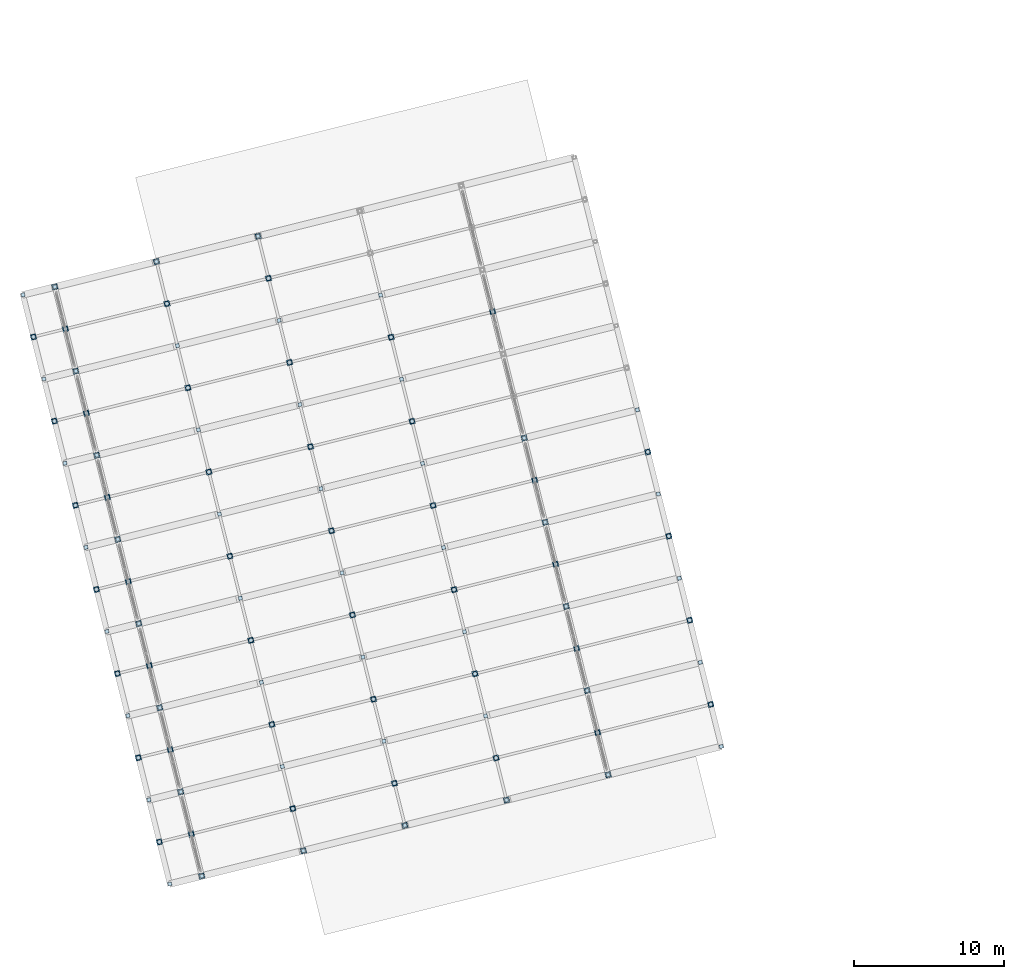
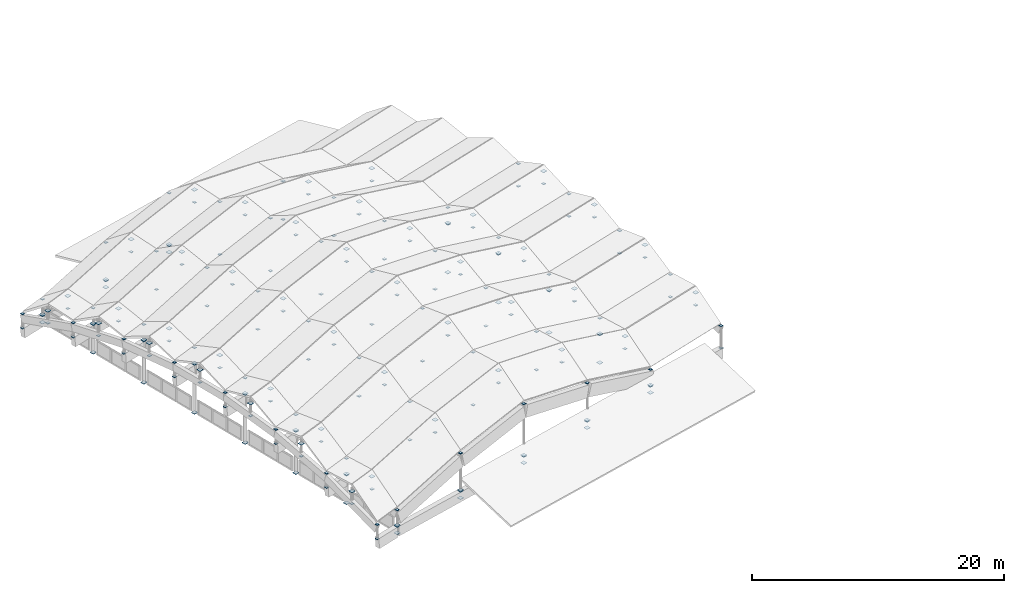
# One storey, part 59 of 65: 220 plates.
"""IFC4 building model written with IfcOpenShell, lengths in metres."""

import ifcopenshell
import ifcopenshell.guid

model = None  # the IFC model being written
_history = None  # IfcOwnerHistory: only IFC2X3 demands one
_inside = {}  # id of a spatial element -> (the spatial element, [elements in it])
_under = {}  # id of a project, library or spatial element -> (it, [spatial elements below it])
_declared = {}  # id of a project -> (the project, [libraries it declares])
_typed = {}  # id of a type object -> (the type object, [elements of that type])
_made_of = {}  # id of a material, layer set ... -> (it, [elements and type objects made of it])


def new_model(schema):
    """Start an empty IFC model of exactly this schema.

    Asked for "IFC4X3", IfcOpenShell would pick the latest addendum, in which some entities
    have other attributes; the version numbers below select the first issue.
    IFC2X3 requires an IfcOwnerHistory on every rooted entity: one is made here for all.
    """
    global model, _history
    if schema == "IFC4X3":
        model = ifcopenshell.file(schema_version=(4, 3, 0, 0))
    else:
        model = ifcopenshell.file(schema=schema)
    _inside.clear()
    _under.clear()
    _declared.clear()
    _typed.clear()
    _made_of.clear()
    _history = None
    if model.schema == "IFC2X3":
        org = make("IfcOrganization", Name="unknown")
        user = make(
            "IfcPersonAndOrganization",
            ThePerson=make("IfcPerson", FamilyName="unknown"),
            TheOrganization=org,
        )
        app = make(
            "IfcApplication",
            ApplicationDeveloper=org,
            Version="unknown",
            ApplicationFullName="unknown",
            ApplicationIdentifier="unknown",
        )
        _history = make(
            "IfcOwnerHistory",
            OwningUser=user,
            OwningApplication=app,
            ChangeAction="ADDED",
            CreationDate=0,
        )
    return model


def make(cls, **values):
    """One entity of the class cls with the attributes given. An attribute that is None is left unset."""
    return model.create_entity(
        cls, **{name: value for name, value in values.items() if value is not None}
    )


def rooted(cls, **values):
    """An entity with a GlobalId (a new one), such as an element, a storey or a relation."""
    return make(cls, GlobalId=ifcopenshell.guid.new(), OwnerHistory=_history, **values)


def si_unit(unit_type, name, prefix=None):
    """IfcSIUnit, for example si_unit("LENGTHUNIT", "METRE", prefix="MILLI")."""
    return make("IfcSIUnit", UnitType=unit_type, Prefix=prefix, Name=name)


def assignment(units):
    """IfcUnitAssignment: the units of a project."""
    return None if units is None else make("IfcUnitAssignment", Units=units)


def point(xyz):
    """IfcCartesianPoint."""
    return None if xyz is None else make("IfcCartesianPoint", Coordinates=xyz)


def direction(xyz):
    """IfcDirection."""
    return None if xyz is None else make("IfcDirection", DirectionRatios=xyz)


def frame(location, z_axis=None, x_axis=None):
    """IfcAxis2Placement3D, a coordinate frame: its origin and axes. An axis left out is left unset."""
    return make(
        "IfcAxis2Placement3D",
        Location=point(location),
        Axis=direction(z_axis),
        RefDirection=direction(x_axis),
    )


def frame_2d(location, x_axis=None):
    """IfcAxis2Placement2D, a coordinate frame in the plane: its origin and x axis."""
    return make(
        "IfcAxis2Placement2D", Location=point(location), RefDirection=direction(x_axis)
    )


def origin():
    """The frame at (0, 0, 0) with its axes left unset."""
    return frame((0.0, 0.0, 0.0))


def origin_2d():
    """The frame at (0, 0) in the plane with its x axis left unset."""
    return frame_2d((0.0, 0.0))


def place(relative_to, where):
    """IfcLocalPlacement: puts the frame where relative to a parent placement (None: the world)."""
    return make(
        "IfcLocalPlacement", PlacementRelTo=relative_to, RelativePlacement=where
    )


def context(
    kind, dimensions, precision=None, world=None, true_north=None, identifier=None
):
    """IfcGeometricRepresentationContext, for example the 3D "Model" context."""
    return make(
        "IfcGeometricRepresentationContext",
        ContextIdentifier=identifier,
        ContextType=kind,
        CoordinateSpaceDimension=dimensions,
        Precision=precision,
        WorldCoordinateSystem=world,
        TrueNorth=true_north,
    )


def subcontext(parent, identifier, kind, view, scale=None):
    """IfcGeometricRepresentationSubContext, for example "Body" below "Model"."""
    return make(
        "IfcGeometricRepresentationSubContext",
        ContextIdentifier=identifier,
        ContextType=kind,
        ParentContext=parent,
        TargetScale=scale,
        TargetView=view,
    )


def project(units=None, contexts=None):
    """IfcProject with its units and contexts."""
    return rooted(
        "IfcProject",
        Name="project",
        RepresentationContexts=contexts,
        UnitsInContext=assignment(units),
    )


def spatial(cls, under=None, at=None, **own):
    """A site, building, storey or space (cls), placed at a placement, below another one or the project."""
    s = rooted(cls, ObjectPlacement=at, **own)
    if under is not None:
        _under.setdefault(under.id(), (under, []))[1].append(s)
    return s


def profile(cls, at=None, kind="AREA", **sizes):
    """A parametric profile (cls). Its sizes go by their IFC names, for example OverallWidth=200.0."""
    return make(cls, ProfileType=kind, Position=at, **sizes)


def rectangle(**sizes):
    """IfcRectangleProfileDef."""
    return profile("IfcRectangleProfileDef", **sizes)


def extrude(swept, where, along, depth):
    """IfcExtrudedAreaSolid: the profile swept, set in the frame where, extruded along a direction by depth."""
    return make(
        "IfcExtrudedAreaSolid",
        SweptArea=swept,
        Position=where,
        ExtrudedDirection=direction(along),
        Depth=depth,
    )


def shape(context_of_items, identifier, shape_type, items):
    """IfcShapeRepresentation: the items that make up one representation, for example the "Body"."""
    return make(
        "IfcShapeRepresentation",
        ContextOfItems=context_of_items,
        RepresentationIdentifier=identifier,
        RepresentationType=shape_type,
        Items=items,
    )


def material(Name=None, Category=None):
    """IfcMaterial."""
    return make("IfcMaterial", Name=Name, Category=Category)


def layer(
    of_material, thickness, ventilated=None, Name=None, Category=None, Priority=None
):
    """IfcMaterialLayer: one layer of a wall or slab, of a material (None: an air gap)."""
    return make(
        "IfcMaterialLayer",
        Material=of_material,
        LayerThickness=thickness,
        IsVentilated=ventilated,
        Name=Name,
        Category=Category,
        Priority=Priority,
    )


def layer_set(layers, Name=None):
    """IfcMaterialLayerSet."""
    return make("IfcMaterialLayerSet", MaterialLayers=layers, LayerSetName=Name)


def made_of(thing, what):
    """Note that an element or type object is made of a material, layer set ...; save() writes the relation."""
    if what is not None:
        _made_of.setdefault(what.id(), (what, []))[1].append(thing)
    return thing


def type_object(cls, material=None, **own):
    """A type object (cls), such as IfcWallType, which elements share."""
    return made_of(rooted(cls, **own), material)


def element(
    cls,
    number,
    at=None,
    inside=None,
    cuts=None,
    type_object=None,
    material=None,
    context=None,
    identifier="Body",
    shape_type=None,
    held_by="IfcProductDefinitionShape",
    body=None,
    shapes=None,
    **own,
):
    """One element of the class cls, such as IfcWall. Its Tag is "e" and its number.

    at: its placement. inside: the storey or other place that contains it. cuts: it is an
    opening in that element (IfcRelVoidsElement). A single representation is given by context,
    identifier, shape_type and body (its items); several are given by shapes. held_by: the class
    of the entity that holds the representations. save() writes the other relations.
    """
    e = rooted(cls, Tag="e%d" % number, ObjectPlacement=at, **own)
    if body is not None:
        shapes = [shape(context, identifier, shape_type, body)]
    if shapes is not None:
        e.Representation = make(held_by, Representations=shapes)
    if inside is not None:
        _inside.setdefault(inside.id(), (inside, []))[1].append(e)
    if cuts is not None:
        rooted(
            "IfcRelVoidsElement", RelatingBuildingElement=cuts, RelatedOpeningElement=e
        )
    if type_object is not None:
        _typed.setdefault(type_object.id(), (type_object, []))[1].append(e)
    return made_of(e, material)


def aggregate(whole, parts):
    """IfcRelAggregates: a whole, such as a stair, and the parts it consists of."""
    return rooted("IfcRelAggregates", RelatingObject=whole, RelatedObjects=parts)


def save(model, path):
    """Write the relations noted so far, then the file.

    IfcRelAggregates (storeys below a building ...), IfcRelContainedInSpatialStructure (elements
    in a storey), IfcRelDefinesByType, IfcRelAssociatesMaterial and IfcRelDeclares: one each for
    every whole, place, type object, material and project.
    """
    for whole, parts in _under.values():
        aggregate(whole, parts)
    for where, things in _inside.values():
        rooted(
            "IfcRelContainedInSpatialStructure",
            RelatedElements=things,
            RelatingStructure=where,
        )
    for kind, things in _typed.values():
        rooted("IfcRelDefinesByType", RelatedObjects=things, RelatingType=kind)
    for what, things in _made_of.values():
        rooted("IfcRelAssociatesMaterial", RelatedObjects=things, RelatingMaterial=what)
    for by, libraries in _declared.values():
        rooted("IfcRelDeclares", RelatingContext=by, RelatedDefinitions=libraries)
    model.write(path)


model = new_model("IFC4")

# Units and contexts
model_context = context("Model", 3, precision=1e-05, world=origin(), true_north=direction((0.0, 1.0)))
body_context = subcontext(model_context, "Body", "Model", "MODEL_VIEW")
ifc_project = project(units=[si_unit("LENGTHUNIT", "METRE"), si_unit("AREAUNIT", "SQUARE_METRE"), si_unit("VOLUMEUNIT", "CUBIC_METRE"), si_unit("PLANEANGLEUNIT", "RADIAN"), si_unit("MASSUNIT", "GRAM", prefix="KILO")], contexts=[model_context])

# Site, building, storey
site_placement = place(None, origin())
site = spatial("IfcSite", under=ifc_project, at=site_placement, CompositionType="ELEMENT")
building_placement = place(site_placement, origin())
building = spatial("IfcBuilding", under=site, at=building_placement, Name="Cinderway Yard Community Centre", CompositionType="ELEMENT")
storey_placement = place(building_placement, frame((0.0, 0.0, 24.300048828125)))
storey = spatial("IfcBuildingStorey", under=building, at=storey_placement, Name="RF", CompositionType="ELEMENT", Elevation=24.300048828125)

# Plates
ifc_material = material(Name="Steel S355", Category="steel")
ifc_layer_1 = layer(ifc_material, 0.02197265625, Name="Steel S355")
ifc_layer_set_1 = layer_set([ifc_layer_1], Name="Steel S355")
plate_type_1 = type_object("IfcPlateType", Name="STR-PLT-CAP240", PredefinedType="SHEET", material=ifc_layer_set_1)
for number, where, z_axis, x_axis, name in (
    (1, (17.675048828125, 24.5849609375, -10.881103515625), (0.0, 0.0, 1.0), (0.970295726276, 0.2419218956, 0.0), "Web base plate 1"),
    (2, (17.675048828125, 24.5849609375, -9.5009765625), (0.0, 0.0, 1.0), (0.970295726276, 0.2419218956, 0.0), "Web top plate 1"),
    (3, (19.80908203125, 25.116943359375, -10.760986328125), (0.0, 0.0, 1.0), (0.970295726276, 0.2419218956, 0.0), "Web base plate 2"),
    (4, (19.80908203125, 25.116943359375, -9.151123046875), (0.0, 0.0, 1.0), (0.970295726276, 0.2419218956, 0.0), "Web top plate 2"),
    (5, (26.60205078125, 26.81005859375, -10.760986328125), (0.0, 0.0, 1.0), (0.970295726276, 0.2419218956, 0.0), "Web base plate 3"),
    (6, (26.60205078125, 26.81005859375, -7.051025390625), (0.0, 0.0, 1.0), (0.970295726276, 0.2419218956, 0.0), "Web top plate 3"),
    (7, (33.39404296875, 28.50390625, -10.760986328125), (0.0, 0.0, 1.0), (0.970295726276, 0.2419218956, 0.0), "Web base plate 4"),
    (8, (33.39404296875, 28.50390625, -5.651123046875), (0.0, 0.0, 1.0), (0.970295726276, 0.2419218956, 0.0), "Web top plate 4"),
    (9, (40.18603515625, 30.197021484375, -10.760986328125), (0.0, 0.0, 1.0), (0.970295726276, 0.2419218956, 0.0), "Web base plate 5"),
    (10, (40.18603515625, 30.197021484375, -7.051025390625), (0.0, 0.0, 1.0), (0.970295726276, 0.2419218956, 0.0), "Web top plate 5"),
    (11, (46.97802734375, 31.89111328125, -10.760986328125), (0.0, 0.0, 1.0), (0.970295726276, 0.2419218956, 0.0), "Web base plate 6"),
    (12, (46.97802734375, 31.89111328125, -9.151123046875), (0.0, 0.0, 1.0), (0.970295726276, 0.2419218956, 0.0), "Web top plate 6"),
    (13, (54.5458984375, 33.778076171875, -10.881103515625), (0.0, 0.0, 1.0), (0.970295726276, 0.2419218956, 0.0), "Web base plate 7"),
    (14, (54.5458984375, 33.778076171875, -8.700927734375), (0.0, 0.0, 1.0), (0.970295726276, 0.2419218956, 0.0), "Web top plate 7"),
    (15, (16.27197265625, 30.2119140625, -8.817138671875), (0.0, 0.0, 1.0), (0.970295726276, 0.2419218956, 0.0), "Web base plate 8"),
    (16, (16.27197265625, 30.2119140625, -7.43701171875), (0.0, 0.0, 1.0), (0.970295726276, 0.2419218956, 0.0), "Web top plate 8"),
    (17, (18.406005859375, 30.7451171875, -8.697021484375), (0.0, 0.0, 1.0), (0.970295726276, 0.2419218956, 0.0), "Web base plate 9"),
    (18, (18.406005859375, 30.7451171875, -7.0869140625), (0.0, 0.0, 1.0), (0.970295726276, 0.2419218956, 0.0), "Web top plate 9"),
    (19, (25.197998046875, 32.43798828125, -8.697021484375), (0.0, 0.0, 1.0), (0.970295726276, 0.2419218956, 0.0), "Web base plate 10"),
    (20, (25.197998046875, 32.43798828125, -4.987060546875), (0.0, 0.0, 1.0), (0.970295726276, 0.2419218956, 0.0), "Web top plate 10"),
    (21, (31.989990234375, 34.131103515625, -8.697021484375), (0.0, 0.0, 1.0), (0.970295726276, 0.2419218956, 0.0), "Web base plate 11"),
    (22, (31.989990234375, 34.131103515625, -3.5869140625), (0.0, 0.0, 1.0), (0.970295726276, 0.2419218956, 0.0), "Web top plate 11"),
    (23, (38.782958984375, 35.824951171875, -8.697021484375), (0.0, 0.0, 1.0), (0.970295726276, 0.2419218956, 0.0), "Web base plate 12"),
    (24, (38.782958984375, 35.824951171875, -4.987060546875), (0.0, 0.0, 1.0), (0.970295726276, 0.2419218956, 0.0), "Web top plate 12"),
    (25, (45.574951171875, 37.51806640625, -8.697021484375), (0.0, 0.0, 1.0), (0.970295726276, 0.2419218956, 0.0), "Web base plate 13"),
    (26, (45.574951171875, 37.51806640625, -7.0869140625), (0.0, 0.0, 1.0), (0.970295726276, 0.2419218956, 0.0), "Web top plate 13"),
    (27, (53.14306640625, 39.405029296875, -8.817138671875), (0.0, 0.0, 1.0), (0.970295726276, 0.2419218956, 0.0), "Web base plate 14"),
    (28, (53.14306640625, 39.405029296875, -6.636962890625), (0.0, 0.0, 1.0), (0.970295726276, 0.2419218956, 0.0), "Web top plate 14"),
    (29, (14.867919921875, 35.840087890625, -7.488037109375), (0.0, 0.0, 1.0), (0.970295726276, 0.2419218956, 0.0), "Web base plate 15"),
    (30, (14.867919921875, 35.840087890625, -6.108154296875), (0.0, 0.0, 1.0), (0.970295726276, 0.2419218956, 0.0), "Web top plate 15"),
    (31, (17.0029296875, 36.3720703125, -7.367919921875), (0.0, 0.0, 1.0), (0.970295726276, 0.2419218956, 0.0), "Web base plate 16"),
    (32, (17.0029296875, 36.3720703125, -5.758056640625), (0.0, 0.0, 1.0), (0.970295726276, 0.2419218956, 0.0), "Web top plate 16"),
    (33, (23.794921875, 38.06591796875, -7.367919921875), (0.0, 0.0, 1.0), (0.970295726276, 0.2419218956, 0.0), "Web base plate 17"),
    (34, (23.794921875, 38.06591796875, -3.657958984375), (0.0, 0.0, 1.0), (0.970295726276, 0.2419218956, 0.0), "Web top plate 17"),
    (35, (30.5869140625, 39.759033203125, -7.367919921875), (0.0, 0.0, 1.0), (0.970295726276, 0.2419218956, 0.0), "Web base plate 18"),
    (36, (30.5869140625, 39.759033203125, -2.258056640625), (0.0, 0.0, 1.0), (0.970295726276, 0.2419218956, 0.0), "Web top plate 18"),
    (37, (37.37890625, 41.452880859375, -7.367919921875), (0.0, 0.0, 1.0), (0.970295726276, 0.2419218956, 0.0), "Web base plate 19"),
    (38, (37.37890625, 41.452880859375, -3.657958984375), (0.0, 0.0, 1.0), (0.970295726276, 0.2419218956, 0.0), "Web top plate 19"),
    (39, (44.1708984375, 43.14599609375, -7.367919921875), (0.0, 0.0, 1.0), (0.970295726276, 0.2419218956, 0.0), "Web base plate 20"),
    (40, (44.1708984375, 43.14599609375, -5.758056640625), (0.0, 0.0, 1.0), (0.970295726276, 0.2419218956, 0.0), "Web top plate 20"),
    (41, (51.739990234375, 45.032958984375, -7.488037109375), (0.0, 0.0, 1.0), (0.970295726276, 0.2419218956, 0.0), "Web base plate 21"),
    (42, (51.739990234375, 45.032958984375, -5.30810546875), (0.0, 0.0, 1.0), (0.970295726276, 0.2419218956, 0.0), "Web top plate 21"),
    (43, (13.465087890625, 41.468017578125, -6.8359375), (0.0, 0.0, 1.0), (0.970295726276, 0.2419218956, 0.0), "Web base plate 22"),
    (44, (13.465087890625, 41.468017578125, -5.4560546875), (0.0, 0.0, 1.0), (0.970295726276, 0.2419218956, 0.0), "Web top plate 22"),
    (45, (15.60009765625, 42.0, -6.716064453125), (0.0, 0.0, 1.0), (0.970295726276, 0.2419218956, 0.0), "Web base plate 23"),
    (46, (15.60009765625, 42.0, -5.10595703125), (0.0, 0.0, 1.0), (0.970295726276, 0.2419218956, 0.0), "Web top plate 23"),
    (47, (22.39208984375, 43.693115234375, -6.716064453125), (0.0, 0.0, 1.0), (0.970295726276, 0.2419218956, 0.0), "Web base plate 24"),
    (48, (22.39208984375, 43.693115234375, -3.006103515625), (0.0, 0.0, 1.0), (0.970295726276, 0.2419218956, 0.0), "Web top plate 24"),
    (49, (29.18408203125, 45.386962890625, -6.716064453125), (0.0, 0.0, 1.0), (0.970295726276, 0.2419218956, 0.0), "Web base plate 25"),
    (50, (29.18408203125, 45.386962890625, -1.60595703125), (0.0, 0.0, 1.0), (0.970295726276, 0.2419218956, 0.0), "Web top plate 25"),
    (51, (35.97607421875, 47.080078125, -6.716064453125), (0.0, 0.0, 1.0), (0.970295726276, 0.2419218956, 0.0), "Web base plate 26"),
    (52, (35.97607421875, 47.080078125, -3.006103515625), (0.0, 0.0, 1.0), (0.970295726276, 0.2419218956, 0.0), "Web top plate 26"),
    (53, (42.76806640625, 48.77392578125, -6.716064453125), (0.0, 0.0, 1.0), (0.970295726276, 0.2419218956, 0.0), "Web base plate 27"),
    (54, (42.76806640625, 48.77392578125, -5.10595703125), (0.0, 0.0, 1.0), (0.970295726276, 0.2419218956, 0.0), "Web top plate 27"),
    (55, (50.3369140625, 50.660888671875, -6.8359375), (0.0, 0.0, 1.0), (0.970295726276, 0.2419218956, 0.0), "Web base plate 28"),
    (56, (50.3369140625, 50.660888671875, -4.656005859375), (0.0, 0.0, 1.0), (0.970295726276, 0.2419218956, 0.0), "Web top plate 28"),
    (57, (12.06201171875, 47.094970703125, -6.8359375), (0.0, 0.0, 1.0), (0.970295726276, 0.2419218956, 0.0), "Web base plate 29"),
    (58, (12.06201171875, 47.094970703125, -5.4560546875), (0.0, 0.0, 1.0), (0.970295726276, 0.2419218956, 0.0), "Web top plate 29"),
    (59, (14.197021484375, 47.6279296875, -6.716064453125), (0.0, 0.0, 1.0), (0.970295726276, 0.2419218956, 0.0), "Web base plate 30"),
    (60, (14.197021484375, 47.6279296875, -5.10595703125), (0.0, 0.0, 1.0), (0.970295726276, 0.2419218956, 0.0), "Web top plate 30"),
    (61, (20.989013671875, 49.321044921875, -6.716064453125), (0.0, 0.0, 1.0), (0.970295726276, 0.2419218956, 0.0), "Web base plate 31"),
    (62, (20.989013671875, 49.321044921875, -3.006103515625), (0.0, 0.0, 1.0), (0.970295726276, 0.2419218956, 0.0), "Web top plate 31"),
    (63, (27.781005859375, 51.014892578125, -6.716064453125), (0.0, 0.0, 1.0), (0.970295726276, 0.2419218956, 0.0), "Web base plate 32"),
    (64, (27.781005859375, 51.014892578125, -1.60595703125), (0.0, 0.0, 1.0), (0.970295726276, 0.2419218956, 0.0), "Web top plate 32"),
    (65, (34.572998046875, 52.7080078125, -6.716064453125), (0.0, 0.0, 1.0), (0.970295726276, 0.2419218956, 0.0), "Web base plate 33"),
    (66, (34.572998046875, 52.7080078125, -3.006103515625), (0.0, 0.0, 1.0), (0.970295726276, 0.2419218956, 0.0), "Web top plate 33"),
    (67, (41.364990234375, 54.402099609375, -6.716064453125), (0.0, 0.0, 1.0), (0.970295726276, 0.2419218956, 0.0), "Web base plate 34"),
    (68, (41.364990234375, 54.402099609375, -5.10595703125), (0.0, 0.0, 1.0), (0.970295726276, 0.2419218956, 0.0), "Web top plate 34"),
    (69, (48.93310546875, 56.2890625, -6.8359375), (0.0, 0.0, 1.0), (0.970295726276, 0.2419218956, 0.0), "Web base plate 35"),
    (70, (48.93310546875, 56.2890625, -4.656005859375), (0.0, 0.0, 1.0), (0.970295726276, 0.2419218956, 0.0), "Web top plate 35"),
    (71, (10.658935546875, 52.722900390625, -7.488037109375), (0.0, 0.0, 1.0), (0.970295726276, 0.2419218956, 0.0), "Web base plate 36"),
    (72, (10.658935546875, 52.722900390625, -6.108154296875), (0.0, 0.0, 1.0), (0.970295726276, 0.2419218956, 0.0), "Web top plate 36"),
    (73, (12.7939453125, 53.2548828125, -7.367919921875), (0.0, 0.0, 1.0), (0.970295726276, 0.2419218956, 0.0), "Web base plate 37"),
    (74, (12.7939453125, 53.2548828125, -5.758056640625), (0.0, 0.0, 1.0), (0.970295726276, 0.2419218956, 0.0), "Web top plate 37"),
    (75, (19.5859375, 54.948974609375, -7.367919921875), (0.0, 0.0, 1.0), (0.970295726276, 0.2419218956, 0.0), "Web base plate 38"),
    (76, (19.5859375, 54.948974609375, -3.657958984375), (0.0, 0.0, 1.0), (0.970295726276, 0.2419218956, 0.0), "Web top plate 38"),
    (77, (26.3779296875, 56.64208984375, -7.367919921875), (0.0, 0.0, 1.0), (0.970295726276, 0.2419218956, 0.0), "Web base plate 39"),
    (78, (26.3779296875, 56.64208984375, -2.258056640625), (0.0, 0.0, 1.0), (0.970295726276, 0.2419218956, 0.0), "Web top plate 39"),
    (79, (33.169921875, 58.3359375, -7.367919921875), (0.0, 0.0, 1.0), (0.970295726276, 0.2419218956, 0.0), "Web base plate 40"),
    (80, (33.169921875, 58.3359375, -3.657958984375), (0.0, 0.0, 1.0), (0.970295726276, 0.2419218956, 0.0), "Web top plate 40"),
    (81, (9.256103515625, 58.35107421875, -8.817138671875), (0.0, 0.0, 1.0), (0.970295726276, 0.2419218956, 0.0), "Web base plate 43"),
    (82, (9.256103515625, 58.35107421875, -7.43701171875), (0.0, 0.0, 1.0), (0.970295726276, 0.2419218956, 0.0), "Web top plate 43"),
    (83, (11.39111328125, 58.883056640625, -8.697021484375), (0.0, 0.0, 1.0), (0.970295726276, 0.2419218956, 0.0), "Web base plate 44"),
    (84, (11.39111328125, 58.883056640625, -7.0869140625), (0.0, 0.0, 1.0), (0.970295726276, 0.2419218956, 0.0), "Web top plate 44"),
    (85, (18.18310546875, 60.576904296875, -8.697021484375), (0.0, 0.0, 1.0), (0.970295726276, 0.2419218956, 0.0), "Web base plate 45"),
    (86, (18.18310546875, 60.576904296875, -4.987060546875), (0.0, 0.0, 1.0), (0.970295726276, 0.2419218956, 0.0), "Web top plate 45"),
    (87, (24.97509765625, 62.27001953125, -8.697021484375), (0.0, 0.0, 1.0), (0.970295726276, 0.2419218956, 0.0), "Web base plate 46"),
    (88, (24.97509765625, 62.27001953125, -3.5869140625), (0.0, 0.0, 1.0), (0.970295726276, 0.2419218956, 0.0), "Web top plate 46"),
    (89, (31.76708984375, 63.964111328125, -8.697021484375), (0.0, 0.0, 1.0), (0.970295726276, 0.2419218956, 0.0), "Web base plate 47"),
    (90, (31.76708984375, 63.964111328125, -4.987060546875), (0.0, 0.0, 1.0), (0.970295726276, 0.2419218956, 0.0), "Web top plate 47"),
    (91, (7.85302734375, 63.97900390625, -10.881103515625), (0.0, 0.0, 1.0), (0.970295726276, 0.2419218956, 0.0), "Web base plate 50"),
    (92, (7.85302734375, 63.97900390625, -9.5009765625), (0.0, 0.0, 1.0), (0.970295726276, 0.2419218956, 0.0), "Web top plate 50"),
    (93, (9.987060546875, 64.510986328125, -10.760986328125), (0.0, 0.0, 1.0), (0.970295726276, 0.2419218956, 0.0), "Web base plate 51"),
    (94, (9.987060546875, 64.510986328125, -9.151123046875), (0.0, 0.0, 1.0), (0.970295726276, 0.2419218956, 0.0), "Web top plate 51"),
    (95, (16.779052734375, 66.2041015625, -10.760986328125), (0.0, 0.0, 1.0), (0.970295726276, 0.2419218956, 0.0), "Web base plate 52"),
    (96, (16.779052734375, 66.2041015625, -7.051025390625), (0.0, 0.0, 1.0), (0.970295726276, 0.2419218956, 0.0), "Web top plate 52"),
    (97, (23.572021484375, 67.89794921875, -10.760986328125), (0.0, 0.0, 1.0), (0.970295726276, 0.2419218956, 0.0), "Web base plate 53"),
    (98, (23.572021484375, 67.89794921875, -5.651123046875), (0.0, 0.0, 1.0), (0.970295726276, 0.2419218956, 0.0), "Web top plate 53"),
    (99, (16.972900390625, 27.39794921875, -8.948974609375), (0.0, 0.0, 1.0), (0.970295726276, 0.2419218956, 0.0), "Kingpost base plate B1-UW22"),
    (100, (19.10791015625, 27.930908203125, -8.59912109375), (0.0, 0.0, 1.0), (0.970295726276, 0.2419218956, 0.0), "Kingpost base plate B1-U00"),
    (101, (25.89990234375, 29.6240234375, -6.4990234375), (0.0, 0.0, 1.0), (0.970295726276, 0.2419218956, 0.0), "Kingpost base plate B1-U07"),
    (102, (32.69189453125, 31.318115234375, -5.09912109375), (0.0, 0.0, 1.0), (0.970295726276, 0.2419218956, 0.0), "Kingpost base plate B1-U14"),
    (103, (39.48388671875, 33.010986328125, -6.4990234375), (0.0, 0.0, 1.0), (0.970295726276, 0.2419218956, 0.0), "Kingpost base plate B1-U21"),
    (104, (46.27587890625, 34.705078125, -8.59912109375), (0.0, 0.0, 1.0), (0.970295726276, 0.2419218956, 0.0), "Kingpost base plate B1-U28"),
    (105, (53.843994140625, 36.592041015625, -8.14892578125), (0.0, 0.0, 1.0), (0.970295726276, 0.2419218956, 0.0), "Kingpost base plate B1-U36"),
    (106, (15.570068359375, 33.02587890625, -7.2529296875), (0.0, 0.0, 1.0), (0.970295726276, 0.2419218956, 0.0), "Kingpost base plate B2-UW22"),
    (107, (17.705078125, 33.55810546875, -6.903076171875), (0.0, 0.0, 1.0), (0.970295726276, 0.2419218956, 0.0), "Kingpost base plate B2-U00"),
    (108, (24.4970703125, 35.251953125, -4.802978515625), (0.0, 0.0, 1.0), (0.970295726276, 0.2419218956, 0.0), "Kingpost base plate B2-U07"),
    (109, (31.2890625, 36.945068359375, -3.403076171875), (0.0, 0.0, 1.0), (0.970295726276, 0.2419218956, 0.0), "Kingpost base plate B2-U14"),
    (110, (38.0810546875, 38.638916015625, -4.802978515625), (0.0, 0.0, 1.0), (0.970295726276, 0.2419218956, 0.0), "Kingpost base plate B2-U21"),
    (111, (44.873046875, 40.33203125, -6.903076171875), (0.0, 0.0, 1.0), (0.970295726276, 0.2419218956, 0.0), "Kingpost base plate B2-U28"),
    (112, (52.44091796875, 42.218994140625, -6.453125), (0.0, 0.0, 1.0), (0.970295726276, 0.2419218956, 0.0), "Kingpost base plate B2-U36"),
    (113, (14.1669921875, 38.654052734375, -6.261962890625), (0.0, 0.0, 1.0), (0.970295726276, 0.2419218956, 0.0), "Kingpost base plate B3-UW22"),
    (114, (16.302001953125, 39.18603515625, -5.912109375), (0.0, 0.0, 1.0), (0.970295726276, 0.2419218956, 0.0), "Kingpost base plate B3-U00"),
    (115, (23.093994140625, 40.8798828125, -3.81201171875), (0.0, 0.0, 1.0), (0.970295726276, 0.2419218956, 0.0), "Kingpost base plate B3-U07"),
    (116, (29.885986328125, 42.572998046875, -2.412109375), (0.0, 0.0, 1.0), (0.970295726276, 0.2419218956, 0.0), "Kingpost base plate B3-U14"),
    (117, (36.677978515625, 44.26708984375, -3.81201171875), (0.0, 0.0, 1.0), (0.970295726276, 0.2419218956, 0.0), "Kingpost base plate B3-U21"),
    (118, (43.469970703125, 45.9599609375, -5.912109375), (0.0, 0.0, 1.0), (0.970295726276, 0.2419218956, 0.0), "Kingpost base plate B3-U28"),
    (119, (51.0380859375, 47.846923828125, -5.4619140625), (0.0, 0.0, 1.0), (0.970295726276, 0.2419218956, 0.0), "Kingpost base plate B3-U36"),
    (120, (12.763916015625, 44.281982421875, -5.93603515625), (0.0, 0.0, 1.0), (0.970295726276, 0.2419218956, 0.0), "Kingpost base plate B4-UW22"),
    (121, (14.89794921875, 44.81396484375, -5.5859375), (0.0, 0.0, 1.0), (0.970295726276, 0.2419218956, 0.0), "Kingpost base plate B4-U00"),
    (122, (21.68994140625, 46.507080078125, -3.486083984375), (0.0, 0.0, 1.0), (0.970295726276, 0.2419218956, 0.0), "Kingpost base plate B4-U07"),
    (123, (28.48291015625, 48.200927734375, -2.0859375), (0.0, 0.0, 1.0), (0.970295726276, 0.2419218956, 0.0), "Kingpost base plate B4-U14"),
    (124, (35.27490234375, 49.89404296875, -3.486083984375), (0.0, 0.0, 1.0), (0.970295726276, 0.2419218956, 0.0), "Kingpost base plate B4-U21"),
    (125, (42.06689453125, 51.587890625, -5.5859375), (0.0, 0.0, 1.0), (0.970295726276, 0.2419218956, 0.0), "Kingpost base plate B4-U28"),
    (126, (49.635009765625, 53.47509765625, -5.135986328125), (0.0, 0.0, 1.0), (0.970295726276, 0.2419218956, 0.0), "Kingpost base plate B4-U36"),
    (127, (11.361083984375, 49.908935546875, -6.261962890625), (0.0, 0.0, 1.0), (0.970295726276, 0.2419218956, 0.0), "Kingpost base plate B5-UW22"),
    (128, (13.4951171875, 50.44189453125, -5.912109375), (0.0, 0.0, 1.0), (0.970295726276, 0.2419218956, 0.0), "Kingpost base plate B5-U00"),
    (129, (20.287109375, 52.135009765625, -3.81201171875), (0.0, 0.0, 1.0), (0.970295726276, 0.2419218956, 0.0), "Kingpost base plate B5-U07"),
    (130, (27.0791015625, 53.827880859375, -2.412109375), (0.0, 0.0, 1.0), (0.970295726276, 0.2419218956, 0.0), "Kingpost base plate B5-U14"),
    (131, (33.87109375, 55.52197265625, -3.81201171875), (0.0, 0.0, 1.0), (0.970295726276, 0.2419218956, 0.0), "Kingpost base plate B5-U21"),
    (132, (9.95703125, 55.537109375, -7.2529296875), (0.0, 0.0, 1.0), (0.970295726276, 0.2419218956, 0.0), "Kingpost base plate B6-UW22"),
    (133, (12.092041015625, 56.069091796875, -6.903076171875), (0.0, 0.0, 1.0), (0.970295726276, 0.2419218956, 0.0), "Kingpost base plate B6-U00"),
    (134, (18.884033203125, 57.762939453125, -4.802978515625), (0.0, 0.0, 1.0), (0.970295726276, 0.2419218956, 0.0), "Kingpost base plate B6-U07"),
    (135, (25.676025390625, 59.4560546875, -3.403076171875), (0.0, 0.0, 1.0), (0.970295726276, 0.2419218956, 0.0), "Kingpost base plate B6-U14"),
    (136, (32.468017578125, 61.14990234375, -4.802978515625), (0.0, 0.0, 1.0), (0.970295726276, 0.2419218956, 0.0), "Kingpost base plate B6-U21"),
    (137, (39.260009765625, 62.843017578125, -6.903076171875), (0.0, 0.0, 1.0), (0.970295726276, 0.2419218956, 0.0), "Kingpost base plate B6-U28"),
    (138, (8.553955078125, 61.1650390625, -8.948974609375), (0.0, 0.0, 1.0), (0.970295726276, 0.2419218956, 0.0), "Kingpost base plate B7-UW22"),
    (139, (10.68896484375, 61.697021484375, -8.59912109375), (0.0, 0.0, 1.0), (0.970295726276, 0.2419218956, 0.0), "Kingpost base plate B7-U00"),
    (140, (17.48095703125, 63.389892578125, -6.4990234375), (0.0, 0.0, 1.0), (0.970295726276, 0.2419218956, 0.0), "Kingpost base plate B7-U07"),
    (141, (24.27294921875, 65.083984375, -5.09912109375), (0.0, 0.0, 1.0), (0.970295726276, 0.2419218956, 0.0), "Kingpost base plate B7-U14"),
):
    element("IfcPlate", number, at=place(storey_placement, frame(where, z_axis=z_axis, x_axis=x_axis)), inside=storey, type_object=plate_type_1, Name=name, PredefinedType="SHEET", context=body_context, shape_type="SweptSolid", body=[
        extrude(rectangle(XDim=0.25, YDim=0.25, at=origin_2d()), origin(), (0.0, 0.0, 1.0), 0.02197265625),
    ])
ifc_layer_2 = layer(ifc_material, 0.028076171875, Name="Steel S355")
ifc_layer_set_2 = layer_set([ifc_layer_2], Name="Steel S355")
plate_type_2 = type_object("IfcPlateType", Name="STR-PLT-CAP360", PredefinedType="SHEET", material=ifc_layer_set_2)
for number, where, z_axis, x_axis, name in (
    (142, (19.80908203125, 25.116943359375, -11.4140625), (0.0, 0.0, 1.0), (0.970295726276, 0.2419218956, 0.0), "Post base cap plate W01"),
    (143, (19.80908203125, 25.116943359375, -10.6640625), (0.0, 0.0, 1.0), (0.970295726276, 0.2419218956, 0.0), "Post head cap plate W01"),
    (144, (46.97802734375, 31.89111328125, -11.4140625), (0.0, 0.0, 1.0), (0.970295726276, 0.2419218956, 0.0), "Post base cap plate E01"),
    (145, (46.97802734375, 31.89111328125, -10.6640625), (0.0, 0.0, 1.0), (0.970295726276, 0.2419218956, 0.0), "Post head cap plate E01"),
    (146, (18.406005859375, 30.7451171875, -11.4140625), (0.0, 0.0, 1.0), (0.970295726276, 0.2419218956, 0.0), "Post base cap plate W02"),
    (147, (18.406005859375, 30.7451171875, -8.60009765625), (0.0, 0.0, 1.0), (0.970295726276, 0.2419218956, 0.0), "Post head cap plate W02"),
    (148, (45.574951171875, 37.51806640625, -11.4140625), (0.0, 0.0, 1.0), (0.970295726276, 0.2419218956, 0.0), "Post base cap plate E02"),
    (149, (45.574951171875, 37.51806640625, -8.60009765625), (0.0, 0.0, 1.0), (0.970295726276, 0.2419218956, 0.0), "Post head cap plate E02"),
    (150, (17.0029296875, 36.3720703125, -11.4140625), (0.0, 0.0, 1.0), (0.970295726276, 0.2419218956, 0.0), "Post base cap plate W03"),
    (151, (17.0029296875, 36.3720703125, -7.27099609375), (0.0, 0.0, 1.0), (0.970295726276, 0.2419218956, 0.0), "Post head cap plate W03"),
    (152, (44.1708984375, 43.14599609375, -11.4140625), (0.0, 0.0, 1.0), (0.970295726276, 0.2419218956, 0.0), "Post base cap plate E03"),
    (153, (44.1708984375, 43.14599609375, -7.27099609375), (0.0, 0.0, 1.0), (0.970295726276, 0.2419218956, 0.0), "Post head cap plate E03"),
    (154, (15.60009765625, 42.0, -11.4140625), (0.0, 0.0, 1.0), (0.970295726276, 0.2419218956, 0.0), "Post base cap plate W04"),
    (155, (15.60009765625, 42.0, -6.619140625), (0.0, 0.0, 1.0), (0.970295726276, 0.2419218956, 0.0), "Post head cap plate W04"),
    (156, (42.76806640625, 48.77392578125, -11.4140625), (0.0, 0.0, 1.0), (0.970295726276, 0.2419218956, 0.0), "Post base cap plate E04"),
    (157, (42.76806640625, 48.77392578125, -6.619140625), (0.0, 0.0, 1.0), (0.970295726276, 0.2419218956, 0.0), "Post head cap plate E04"),
    (158, (14.197021484375, 47.6279296875, -11.4140625), (0.0, 0.0, 1.0), (0.970295726276, 0.2419218956, 0.0), "Post base cap plate W05"),
    (159, (14.197021484375, 47.6279296875, -6.619140625), (0.0, 0.0, 1.0), (0.970295726276, 0.2419218956, 0.0), "Post head cap plate W05"),
    (160, (41.364990234375, 54.402099609375, -11.4140625), (0.0, 0.0, 1.0), (0.970295726276, 0.2419218956, 0.0), "Post base cap plate E05"),
    (161, (41.364990234375, 54.402099609375, -6.619140625), (0.0, 0.0, 1.0), (0.970295726276, 0.2419218956, 0.0), "Post head cap plate E05"),
    (162, (12.7939453125, 53.2548828125, -11.4140625), (0.0, 0.0, 1.0), (0.970295726276, 0.2419218956, 0.0), "Post base cap plate W06"),
    (163, (12.7939453125, 53.2548828125, -7.27099609375), (0.0, 0.0, 1.0), (0.970295726276, 0.2419218956, 0.0), "Post head cap plate W06"),
    (164, (11.39111328125, 58.883056640625, -11.4140625), (0.0, 0.0, 1.0), (0.970295726276, 0.2419218956, 0.0), "Post base cap plate W07"),
    (165, (11.39111328125, 58.883056640625, -8.60009765625), (0.0, 0.0, 1.0), (0.970295726276, 0.2419218956, 0.0), "Post head cap plate W07"),
    (166, (9.987060546875, 64.510986328125, -11.4140625), (0.0, 0.0, 1.0), (0.970295726276, 0.2419218956, 0.0), "Post base cap plate W08"),
    (167, (9.987060546875, 64.510986328125, -10.6640625), (0.0, 0.0, 1.0), (0.970295726276, 0.2419218956, 0.0), "Post head cap plate W08"),
    (168, (16.972900390625, 27.39794921875, -7.736328125), (0.0, 0.0, 1.0), (0.970295726276, 0.2419218956, 0.0), "Kingpost cap plate B1-UW22"),
    (169, (19.10791015625, 27.930908203125, -7.38623046875), (0.0, 0.0, 1.0), (0.970295726276, 0.2419218956, 0.0), "Kingpost cap plate B1-U00"),
    (170, (25.89990234375, 29.6240234375, -5.2861328125), (0.0, 0.0, 1.0), (0.970295726276, 0.2419218956, 0.0), "Kingpost cap plate B1-U07"),
    (171, (32.69189453125, 31.318115234375, -3.88623046875), (0.0, 0.0, 1.0), (0.970295726276, 0.2419218956, 0.0), "Kingpost cap plate B1-U14"),
    (172, (39.48388671875, 33.010986328125, -5.2861328125), (0.0, 0.0, 1.0), (0.970295726276, 0.2419218956, 0.0), "Kingpost cap plate B1-U21"),
    (173, (46.27587890625, 34.705078125, -7.38623046875), (0.0, 0.0, 1.0), (0.970295726276, 0.2419218956, 0.0), "Kingpost cap plate B1-U28"),
    (174, (53.843994140625, 36.592041015625, -6.93603515625), (0.0, 0.0, 1.0), (0.970295726276, 0.2419218956, 0.0), "Kingpost cap plate B1-U36"),
    (175, (15.570068359375, 33.02587890625, -6.0400390625), (0.0, 0.0, 1.0), (0.970295726276, 0.2419218956, 0.0), "Kingpost cap plate B2-UW22"),
    (176, (17.705078125, 33.55810546875, -5.68994140625), (0.0, 0.0, 1.0), (0.970295726276, 0.2419218956, 0.0), "Kingpost cap plate B2-U00"),
    (177, (24.4970703125, 35.251953125, -3.58984375), (0.0, 0.0, 1.0), (0.970295726276, 0.2419218956, 0.0), "Kingpost cap plate B2-U07"),
    (178, (31.2890625, 36.945068359375, -2.18994140625), (0.0, 0.0, 1.0), (0.970295726276, 0.2419218956, 0.0), "Kingpost cap plate B2-U14"),
    (179, (38.0810546875, 38.638916015625, -3.58984375), (0.0, 0.0, 1.0), (0.970295726276, 0.2419218956, 0.0), "Kingpost cap plate B2-U21"),
    (180, (44.873046875, 40.33203125, -5.68994140625), (0.0, 0.0, 1.0), (0.970295726276, 0.2419218956, 0.0), "Kingpost cap plate B2-U28"),
    (181, (52.44091796875, 42.218994140625, -5.240234375), (0.0, 0.0, 1.0), (0.970295726276, 0.2419218956, 0.0), "Kingpost cap plate B2-U36"),
    (182, (14.1669921875, 38.654052734375, -5.04931640625), (0.0, 0.0, 1.0), (0.970295726276, 0.2419218956, 0.0), "Kingpost cap plate B3-UW22"),
    (183, (16.302001953125, 39.18603515625, -4.69921875), (0.0, 0.0, 1.0), (0.970295726276, 0.2419218956, 0.0), "Kingpost cap plate B3-U00"),
    (184, (23.093994140625, 40.8798828125, -2.59912109375), (0.0, 0.0, 1.0), (0.970295726276, 0.2419218956, 0.0), "Kingpost cap plate B3-U07"),
    (185, (29.885986328125, 42.572998046875, -1.19921875), (0.0, 0.0, 1.0), (0.970295726276, 0.2419218956, 0.0), "Kingpost cap plate B3-U14"),
    (186, (36.677978515625, 44.26708984375, -2.59912109375), (0.0, 0.0, 1.0), (0.970295726276, 0.2419218956, 0.0), "Kingpost cap plate B3-U21"),
    (187, (43.469970703125, 45.9599609375, -4.69921875), (0.0, 0.0, 1.0), (0.970295726276, 0.2419218956, 0.0), "Kingpost cap plate B3-U28"),
    (188, (51.0380859375, 47.846923828125, -4.2490234375), (0.0, 0.0, 1.0), (0.970295726276, 0.2419218956, 0.0), "Kingpost cap plate B3-U36"),
    (189, (12.763916015625, 44.281982421875, -4.72314453125), (0.0, 0.0, 1.0), (0.970295726276, 0.2419218956, 0.0), "Kingpost cap plate B4-UW22"),
    (190, (14.89794921875, 44.81396484375, -4.373046875), (0.0, 0.0, 1.0), (0.970295726276, 0.2419218956, 0.0), "Kingpost cap plate B4-U00"),
    (191, (21.68994140625, 46.507080078125, -2.27294921875), (0.0, 0.0, 1.0), (0.970295726276, 0.2419218956, 0.0), "Kingpost cap plate B4-U07"),
    (192, (28.48291015625, 48.200927734375, -0.873046875), (0.0, 0.0, 1.0), (0.970295726276, 0.2419218956, 0.0), "Kingpost cap plate B4-U14"),
    (193, (35.27490234375, 49.89404296875, -2.27294921875), (0.0, 0.0, 1.0), (0.970295726276, 0.2419218956, 0.0), "Kingpost cap plate B4-U21"),
    (194, (42.06689453125, 51.587890625, -4.373046875), (0.0, 0.0, 1.0), (0.970295726276, 0.2419218956, 0.0), "Kingpost cap plate B4-U28"),
    (195, (49.635009765625, 53.47509765625, -3.9228515625), (0.0, 0.0, 1.0), (0.970295726276, 0.2419218956, 0.0), "Kingpost cap plate B4-U36"),
    (196, (11.361083984375, 49.908935546875, -5.04931640625), (0.0, 0.0, 1.0), (0.970295726276, 0.2419218956, 0.0), "Kingpost cap plate B5-UW22"),
    (197, (13.4951171875, 50.44189453125, -4.69921875), (0.0, 0.0, 1.0), (0.970295726276, 0.2419218956, 0.0), "Kingpost cap plate B5-U00"),
    (198, (20.287109375, 52.135009765625, -2.59912109375), (0.0, 0.0, 1.0), (0.970295726276, 0.2419218956, 0.0), "Kingpost cap plate B5-U07"),
    (199, (27.0791015625, 53.827880859375, -1.19921875), (0.0, 0.0, 1.0), (0.970295726276, 0.2419218956, 0.0), "Kingpost cap plate B5-U14"),
    (200, (33.87109375, 55.52197265625, -2.59912109375), (0.0, 0.0, 1.0), (0.970295726276, 0.2419218956, 0.0), "Kingpost cap plate B5-U21"),
    (201, (9.95703125, 55.537109375, -6.0400390625), (0.0, 0.0, 1.0), (0.970295726276, 0.2419218956, 0.0), "Kingpost cap plate B6-UW22"),
    (202, (12.092041015625, 56.069091796875, -5.68994140625), (0.0, 0.0, 1.0), (0.970295726276, 0.2419218956, 0.0), "Kingpost cap plate B6-U00"),
    (203, (18.884033203125, 57.762939453125, -3.58984375), (0.0, 0.0, 1.0), (0.970295726276, 0.2419218956, 0.0), "Kingpost cap plate B6-U07"),
    (204, (25.676025390625, 59.4560546875, -2.18994140625), (0.0, 0.0, 1.0), (0.970295726276, 0.2419218956, 0.0), "Kingpost cap plate B6-U14"),
    (205, (32.468017578125, 61.14990234375, -3.58984375), (0.0, 0.0, 1.0), (0.970295726276, 0.2419218956, 0.0), "Kingpost cap plate B6-U21"),
    (206, (39.260009765625, 62.843017578125, -5.68994140625), (0.0, 0.0, 1.0), (0.970295726276, 0.2419218956, 0.0), "Kingpost cap plate B6-U28"),
    (207, (8.553955078125, 61.1650390625, -7.736328125), (0.0, 0.0, 1.0), (0.970295726276, 0.2419218956, 0.0), "Kingpost cap plate B7-UW22"),
    (208, (10.68896484375, 61.697021484375, -7.38623046875), (0.0, 0.0, 1.0), (0.970295726276, 0.2419218956, 0.0), "Kingpost cap plate B7-U00"),
    (209, (17.48095703125, 63.389892578125, -5.2861328125), (0.0, 0.0, 1.0), (0.970295726276, 0.2419218956, 0.0), "Kingpost cap plate B7-U07"),
    (210, (24.27294921875, 65.083984375, -3.88623046875), (0.0, 0.0, 1.0), (0.970295726276, 0.2419218956, 0.0), "Kingpost cap plate B7-U14"),
    (211, (26.60205078125, 26.81005859375, -11.4140625), (0.0, 0.0, 1.0), (0.970295726276, 0.2419218956, 0.0), "Arch-end post base SU07"),
    (212, (26.60205078125, 26.81005859375, -10.6640625), (0.0, 0.0, 1.0), (0.970295726276, 0.2419218956, 0.0), "Arch-end post head SU07"),
    (213, (33.39404296875, 28.50390625, -11.4140625), (0.0, 0.0, 1.0), (0.970295726276, 0.2419218956, 0.0), "Arch-end post base SU14"),
    (214, (33.39404296875, 28.50390625, -10.6640625), (0.0, 0.0, 1.0), (0.970295726276, 0.2419218956, 0.0), "Arch-end post head SU14"),
    (215, (40.18603515625, 30.197021484375, -11.4140625), (0.0, 0.0, 1.0), (0.970295726276, 0.2419218956, 0.0), "Arch-end post base SU21"),
    (216, (40.18603515625, 30.197021484375, -10.6640625), (0.0, 0.0, 1.0), (0.970295726276, 0.2419218956, 0.0), "Arch-end post head SU21"),
    (217, (16.779052734375, 66.2041015625, -11.4140625), (0.0, 0.0, 1.0), (0.970295726276, 0.2419218956, 0.0), "Arch-end post base NU07"),
    (218, (16.779052734375, 66.2041015625, -10.6640625), (0.0, 0.0, 1.0), (0.970295726276, 0.2419218956, 0.0), "Arch-end post head NU07"),
    (219, (23.572021484375, 67.89794921875, -11.4140625), (0.0, 0.0, 1.0), (0.970295726276, 0.2419218956, 0.0), "Arch-end post base NU14"),
    (220, (23.572021484375, 67.89794921875, -10.6640625), (0.0, 0.0, 1.0), (0.970295726276, 0.2419218956, 0.0), "Arch-end post head NU14"),
):
    element("IfcPlate", number, at=place(storey_placement, frame(where, z_axis=z_axis, x_axis=x_axis)), inside=storey, type_object=plate_type_2, Name=name, PredefinedType="SHEET", context=body_context, shape_type="SweptSolid", body=[
        extrude(rectangle(XDim=0.3798828125, YDim=0.3798828125, at=origin_2d()), origin(), (0.0, 0.0, 1.0), 0.028076171875),
    ])

save(model, "model.ifc")
